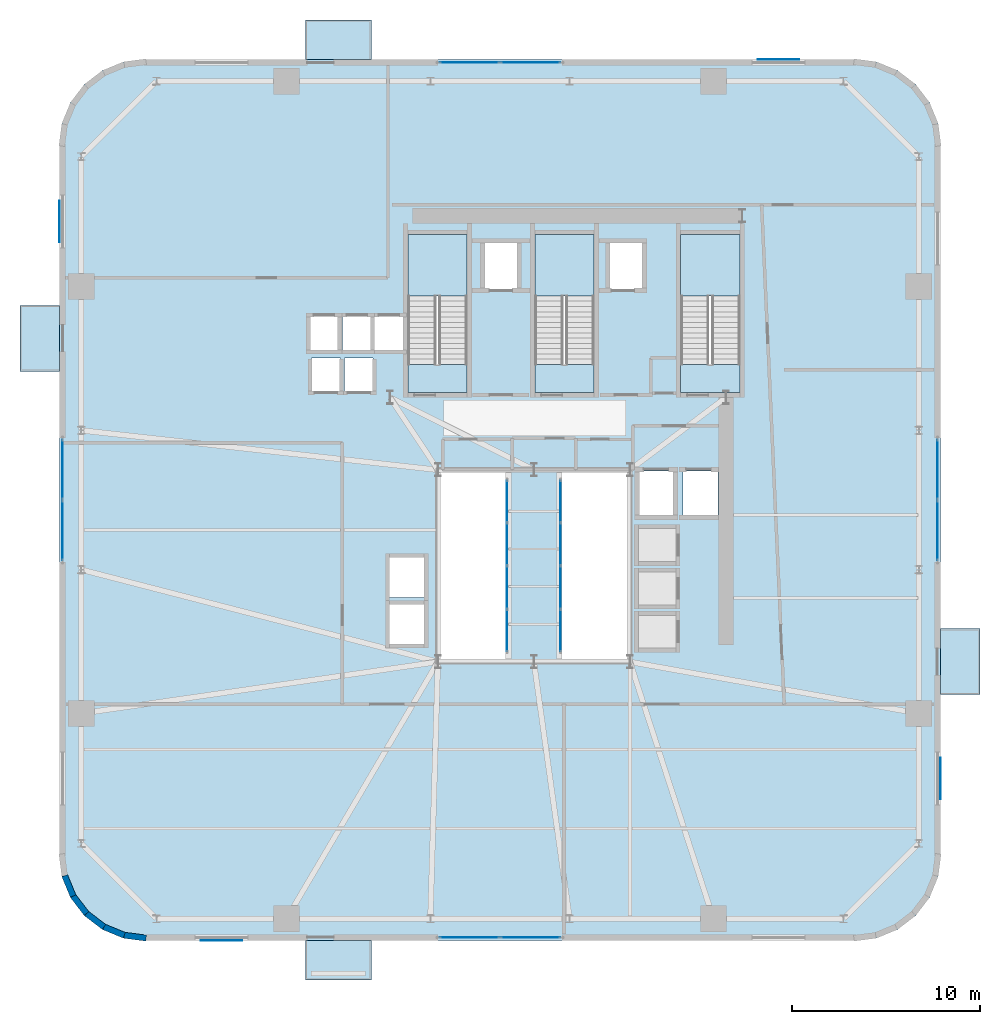
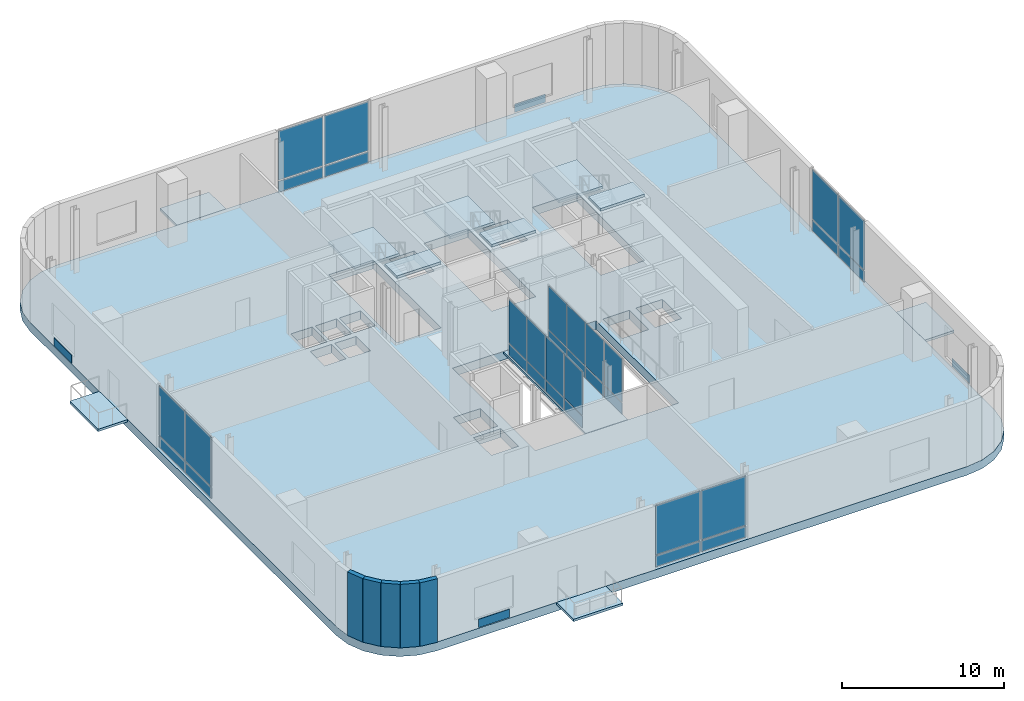
# One storey, part 7 of 14: 36 plates, 12 slabs, 5 walls, 9 elements without a shape of their own.
"""IFC4 building model written with IfcOpenShell, lengths in metres."""

from ifc_helpers import new_model, si_unit, direction, frame, frame_2d, origin, origin_2d, place, context, subcontext, project, spatial, polyline, rectangle, outline, extrude, source, transform, mapped, material, layer, layer_set, type_object, element, aggregate, save


model = new_model("IFC4")

# Units and contexts
model_context = context("Model", 3, precision=1e-05, world=origin(), true_north=direction((0.0, 1.0)))
body_context = subcontext(model_context, "Body", "Model", "MODEL_VIEW")
ifc_project = project(units=[si_unit("LENGTHUNIT", "METRE"), si_unit("AREAUNIT", "SQUARE_METRE"), si_unit("VOLUMEUNIT", "CUBIC_METRE"), si_unit("PLANEANGLEUNIT", "RADIAN"), si_unit("MASSUNIT", "GRAM", prefix="KILO")], contexts=[model_context])

# Site, building, storey
site_placement = place(None, origin())
site = spatial("IfcSite", under=ifc_project, at=site_placement, CompositionType="ELEMENT")
building_placement = place(site_placement, origin())
building = spatial("IfcBuilding", under=site, at=building_placement, Name="Vardaveli Station Tower", CompositionType="ELEMENT")
storey_placement = place(building_placement, frame((0.0, 0.0, 172.199951171875)))
storey = spatial("IfcBuildingStorey", under=building, at=storey_placement, Name="L44", CompositionType="ELEMENT", Elevation=172.199951171875)

# Stair, slabs
ifc_material_1 = material(Name="Concrete C40/50", Category="concrete")
stair_type = type_object("IfcStairType", Name="STR-CORE-1500", PredefinedType="HALF_TURN_STAIR", material=ifc_material_1)
stair_1_placement = place(storey_placement, origin())
stair_1 = element("IfcStair", 1, at=stair_1_placement, inside=storey, type_object=stair_type, Name="L44 ST-1", PredefinedType="HALF_TURN_STAIR")
ifc_layer_1 = layer(ifc_material_1, 0.199951171875, Name="Concrete C40/50")
ifc_layer_set_1 = layer_set([ifc_layer_1], Name="Concrete C40/50")
slab_type_1 = type_object("IfcSlabType", Name="SLB-LAND-200", PredefinedType="LANDING", material=ifc_layer_set_1)
slab_1_placement = place(storey_placement, frame((0.0, 0.0, 2.300048828125)))
slab_1 = element("IfcSlab", 2, at=slab_1_placement, type_object=slab_type_1, Name="ST-1 landing 1", PredefinedType="LANDING", context=body_context, shape_type="SweptSolid", body=[
    extrude(outline(polyline([(32.75, 36.0400390625), (32.75, 39.300048828125), (29.60009765625, 39.300048828125), (29.60009765625, 36.0400390625), (32.75, 36.0400390625)])), origin(), (0.0, 0.0, 1.0), 0.199951171875),
])
slab_2_placement = place(storey_placement, frame((0.0, 0.0, 4.800048828125)))
slab_2 = element("IfcSlab", 3, at=slab_2_placement, type_object=slab_type_1, Name="ST-1 landing 2", PredefinedType="LANDING", context=body_context, shape_type="SweptSolid", body=[
    extrude(outline(polyline([(32.75, 30.89990234375), (32.75, 32.39990234375), (29.60009765625, 32.39990234375), (29.60009765625, 30.89990234375), (32.75, 30.89990234375)])), origin(), (0.0, 0.0, 1.0), 0.199951171875),
])
aggregate(stair_1, [slab_1, slab_2])

stair_2_placement = place(storey_placement, origin())
stair_2 = element("IfcStair", 4, at=stair_2_placement, inside=storey, type_object=stair_type, Name="L44 ST-2", PredefinedType="HALF_TURN_STAIR")
slab_3_placement = place(storey_placement, frame((0.0, 0.0, 2.300048828125)))
slab_3 = element("IfcSlab", 5, at=slab_3_placement, type_object=slab_type_1, Name="ST-2 landing 1", PredefinedType="LANDING", context=body_context, shape_type="SweptSolid", body=[
    extrude(outline(polyline([(39.5, 36.0400390625), (39.5, 39.300048828125), (36.35009765625, 39.300048828125), (36.35009765625, 36.0400390625), (39.5, 36.0400390625)])), origin(), (0.0, 0.0, 1.0), 0.199951171875),
])
slab_4_placement = place(storey_placement, frame((0.0, 0.0, 4.800048828125)))
slab_4 = element("IfcSlab", 6, at=slab_4_placement, type_object=slab_type_1, Name="ST-2 landing 2", PredefinedType="LANDING", context=body_context, shape_type="SweptSolid", body=[
    extrude(outline(polyline([(39.5, 30.89990234375), (39.5, 32.39990234375), (36.35009765625, 32.39990234375), (36.35009765625, 30.89990234375), (39.5, 30.89990234375)])), origin(), (0.0, 0.0, 1.0), 0.199951171875),
])
aggregate(stair_2, [slab_3, slab_4])

stair_3_placement = place(storey_placement, origin())
stair_3 = element("IfcStair", 7, at=stair_3_placement, inside=storey, type_object=stair_type, Name="L44 ST-3", PredefinedType="HALF_TURN_STAIR")
slab_5_placement = place(storey_placement, frame((0.0, 0.0, 2.300048828125)))
slab_5 = element("IfcSlab", 8, at=slab_5_placement, type_object=slab_type_1, Name="ST-3 landing 1", PredefinedType="LANDING", context=body_context, shape_type="SweptSolid", body=[
    extrude(outline(polyline([(47.25, 36.0400390625), (47.25, 39.300048828125), (44.10009765625, 39.300048828125), (44.10009765625, 36.0400390625), (47.25, 36.0400390625)])), origin(), (0.0, 0.0, 1.0), 0.199951171875),
])
slab_6_placement = place(storey_placement, frame((0.0, 0.0, 4.800048828125)))
slab_6 = element("IfcSlab", 9, at=slab_6_placement, type_object=slab_type_1, Name="ST-3 landing 2", PredefinedType="LANDING", context=body_context, shape_type="SweptSolid", body=[
    extrude(outline(polyline([(47.25, 30.89990234375), (47.25, 32.39990234375), (44.10009765625, 32.39990234375), (44.10009765625, 30.89990234375), (47.25, 30.89990234375)])), origin(), (0.0, 0.0, 1.0), 0.199951171875),
])
aggregate(stair_3, [slab_5, slab_6])

# Slabs
ifc_material_2 = material(Name="Precast concrete C45/55", Category="concrete")
ifc_layer_2 = layer(ifc_material_2, 0.179931640625, Name="Precast concrete C45/55")
ifc_layer_set_2 = layer_set([ifc_layer_2], Name="Precast concrete C45/55")
slab_type_2 = type_object("IfcSlabType", Name="SLB-LOGGIA-180", PredefinedType="FLOOR", material=ifc_layer_set_2)
slab_7_placement = place(storey_placement, frame((0.0, 0.0, -0.179931640625)))
element("IfcSlab", 10, at=slab_7_placement, inside=storey, type_object=slab_type_2, Name="LOG-L44-S", PredefinedType="FLOOR", context=body_context, shape_type="SweptSolid", body=[
    extrude(outline(polyline([(24.160400390625, -0.300048828125), (27.660400390625, -0.300048828125), (27.660400390625, 1.800048828125), (24.160400390625, 1.800048828125), (24.160400390625, -0.300048828125)])), origin(), (0.0, 0.0, 1.0), 0.179931640625),
])
slab_8_placement = place(storey_placement, frame((0.0, 0.0, -0.179931640625)))
element("IfcSlab", 11, at=slab_8_placement, inside=storey, type_object=slab_type_2, Name="LOG-L44-N", PredefinedType="FLOOR", context=body_context, shape_type="SweptSolid", body=[
    extrude(outline(polyline([(24.160400390625, 48.60009765625), (27.660400390625, 48.60009765625), (27.660400390625, 50.699951171875), (24.160400390625, 50.699951171875), (24.160400390625, 48.60009765625)])), origin(), (0.0, 0.0, 1.0), 0.179931640625),
])
slab_9_placement = place(storey_placement, frame((0.0, 0.0, -0.179931640625)))
element("IfcSlab", 12, at=slab_9_placement, inside=storey, type_object=slab_type_2, Name="LOG-L44-W", PredefinedType="FLOOR", context=body_context, shape_type="SweptSolid", body=[
    extrude(outline(polyline([(9.0, 32.03955078125), (11.10009765625, 32.03955078125), (11.10009765625, 35.53955078125), (9.0, 35.53955078125), (9.0, 32.03955078125)])), origin(), (0.0, 0.0, 1.0), 0.179931640625),
])
slab_10_placement = place(storey_placement, frame((0.0, 0.0, -0.179931640625)))
element("IfcSlab", 13, at=slab_10_placement, inside=storey, type_object=slab_type_2, Name="LOG-L44-E", PredefinedType="FLOOR", context=body_context, shape_type="SweptSolid", body=[
    extrude(outline(polyline([(57.89990234375, 14.8603515625), (60.0, 14.8603515625), (60.0, 18.3603515625), (57.89990234375, 18.3603515625), (57.89990234375, 14.8603515625)])), origin(), (0.0, 0.0, 1.0), 0.179931640625),
])
ifc_material_3 = material(Name="Concrete C50/60", Category="concrete")
ifc_layer_3 = layer(ifc_material_3, 0.64990234375, Name="Concrete C50/60")
ifc_layer_set_3 = layer_set([ifc_layer_3], Name="Concrete C50/60")
slab_type_3 = type_object("IfcSlabType", Name="SLB-TRANS-600", PredefinedType="FLOOR", material=ifc_layer_set_3)
slab_11_placement = place(storey_placement, frame((0.0, 0.0, -0.64990234375)))
element("IfcSlab", 14, at=slab_11_placement, inside=storey, type_object=slab_type_3, Name="SLB-L44-MAIN", PredefinedType="FLOOR", context=body_context, shape_type="SweptSolid", body=[
    extrude(outline(polyline([(11.10009765625, 6.300048828125), (11.25341796875, 5.13525390625), (11.702880859375, 4.050048828125), (12.41796875, 3.117919921875), (13.35009765625, 2.40283203125), (14.435302734375, 1.953369140625), (15.60009765625, 1.800048828125), (53.39990234375, 1.800048828125), (54.564697265625, 1.953369140625), (55.64990234375, 2.40283203125), (56.58203125, 3.117919921875), (57.297119140625, 4.050048828125), (57.74658203125, 5.13525390625), (57.89990234375, 6.300048828125), (57.89990234375, 44.10009765625), (57.74658203125, 45.2646484375), (57.297119140625, 46.35009765625), (56.58203125, 47.281982421875), (55.64990234375, 47.9970703125), (54.564697265625, 48.44677734375), (53.39990234375, 48.60009765625), (15.60009765625, 48.60009765625), (14.435302734375, 48.44677734375), (13.35009765625, 47.9970703125), (12.41796875, 47.281982421875), (11.702880859375, 46.35009765625), (11.25341796875, 45.2646484375), (11.10009765625, 44.10009765625), (11.10009765625, 6.300048828125)]), holes=[polyline([(31.199951171875, 16.60009765625), (41.39990234375, 16.60009765625), (41.39990234375, 26.800048828125), (31.199951171875, 26.800048828125), (31.199951171875, 16.60009765625)]), polyline([(32.75, 30.89990234375), (32.75, 39.300048828125), (29.60009765625, 39.300048828125), (29.60009765625, 30.89990234375), (32.75, 30.89990234375)]), polyline([(39.5, 30.89990234375), (39.5, 39.300048828125), (36.35009765625, 39.300048828125), (36.35009765625, 30.89990234375), (39.5, 30.89990234375)]), polyline([(47.25, 30.89990234375), (47.25, 39.300048828125), (44.10009765625, 39.300048828125), (44.10009765625, 30.89990234375), (47.25, 30.89990234375)]), polyline([(24.385009765625, 33.135009765625), (25.9150390625, 33.135009765625), (25.9150390625, 34.965087890625), (24.385009765625, 34.965087890625), (24.385009765625, 33.135009765625)]), polyline([(26.135009765625, 33.135009765625), (27.6650390625, 33.135009765625), (27.6650390625, 34.965087890625), (26.135009765625, 34.965087890625), (26.135009765625, 33.135009765625)]), polyline([(27.8349609375, 33.135009765625), (29.364990234375, 33.135009765625), (29.364990234375, 34.965087890625), (27.8349609375, 34.965087890625), (27.8349609375, 33.135009765625)]), polyline([(33.659912109375, 36.409912109375), (35.43994140625, 36.409912109375), (35.43994140625, 38.889892578125), (33.659912109375, 38.889892578125), (33.659912109375, 36.409912109375)]), polyline([(40.31005859375, 36.409912109375), (42.090087890625, 36.409912109375), (42.090087890625, 38.889892578125), (40.31005859375, 38.889892578125), (40.31005859375, 36.409912109375)]), polyline([(24.485107421875, 30.9599609375), (26.014892578125, 30.9599609375), (26.014892578125, 32.739990234375), (24.485107421875, 32.739990234375), (24.485107421875, 30.9599609375)]), polyline([(26.235107421875, 30.9599609375), (27.764892578125, 30.9599609375), (27.764892578125, 32.739990234375), (26.235107421875, 32.739990234375), (26.235107421875, 30.9599609375)]), polyline([(28.5849609375, 17.510009765625), (30.514892578125, 17.510009765625), (30.514892578125, 19.68994140625), (28.5849609375, 19.68994140625), (28.5849609375, 17.510009765625)]), polyline([(28.5849609375, 20.010009765625), (30.514892578125, 20.010009765625), (30.514892578125, 22.18994140625), (28.5849609375, 22.18994140625), (28.5849609375, 20.010009765625)]), polyline([(41.860107421875, 24.360107421875), (43.739990234375, 24.360107421875), (43.739990234375, 26.739990234375), (41.860107421875, 26.739990234375), (41.860107421875, 24.360107421875)]), polyline([(44.2099609375, 24.360107421875), (46.090087890625, 24.360107421875), (46.090087890625, 26.739990234375), (44.2099609375, 26.739990234375), (44.2099609375, 24.360107421875)])]), origin(), (0.0, 0.0, 1.0), 0.64990234375),
])
ifc_layer_4 = layer(ifc_material_1, 0.159912109375, Name="Concrete C40/50")
ifc_layer_set_4 = layer_set([ifc_layer_4], Name="Concrete C40/50")
slab_type_4 = type_object("IfcSlabType", Name="SLB-WALKWAY-160", PredefinedType="FLOOR", material=ifc_layer_set_4)
slab_12_placement = place(storey_placement, frame((0.0, 0.0, -0.159912109375)))
element("IfcSlab", 15, at=slab_12_placement, inside=storey, type_object=slab_type_4, Name="SLB-L44-WALKWAY", PredefinedType="FLOOR", context=body_context, shape_type="SweptSolid", body=[
    extrude(outline(polyline([(34.800048828125, 16.6201171875), (37.800048828125, 16.6201171875), (37.800048828125, 26.780029296875), (34.800048828125, 26.780029296875), (34.800048828125, 16.6201171875)])), origin(), (0.0, 0.0, 1.0), 0.159912109375),
])

# Plates
ifc_material_4 = material(Name="Honed Caucasian travertine stone", Category="masonry")
ifc_layer_5 = layer(ifc_material_4, 0.034912109375, Name="Honed Caucasian travertine stone")
ifc_layer_set_5 = layer_set([ifc_layer_5], Name="Honed Caucasian travertine stone")
plate_type_1 = type_object("IfcPlateType", Name="PLT-TRAV-35", PredefinedType="SHEET", material=ifc_layer_set_5)
shared_shape_1 = source(origin(), body_context, "Body", "SweptSolid", [
    extrude(rectangle(XDim=2.199951171875, YDim=0.034912109375, at=origin_2d()), origin(), (0.0, 0.0, 1.0), 0.6201171875),
])
for number, where, z_axis, x_axis, name in (
    (16, (19.705078125, 1.79052734375, 0.070068359375), (0.0, 0.0, 1.0), (1.0, 0.0, 0.0), "PLT-TR-L44-S"),
    (17, (49.294921875, 48.609619140625, 0.070068359375), (0.0, 0.0, 1.0), (1.0, 0.0, 0.0), "PLT-TR-L44-N"),
    (18, (11.090576171875, 39.9951171875, 0.070068359375), (0.0, 0.0, 1.0), (0.0, 1.0, 0.0), "PLT-TR-L44-W"),
    (19, (57.909423828125, 10.405029296875, 0.070068359375), (0.0, 0.0, 1.0), (0.0, 1.0, 0.0), "PLT-TR-L44-E"),
):
    element("IfcPlate", number, at=place(storey_placement, frame(where, z_axis=z_axis, x_axis=x_axis)), inside=storey, type_object=plate_type_1, Name=name, PredefinedType="SHEET", context=body_context, shape_type="MappedRepresentation", body=[
        mapped(shared_shape_1, transform((0.0, 0.0, 0.0), scale=1.0)),
    ])

# Curtain wall, plates
ifc_material_5 = material(Name="Travertine stone and solar-control glass", Category="masonry")
curtain_wall_type_1 = type_object("IfcCurtainWallType", Name="CW-SYS-3", PredefinedType="NOTDEFINED", material=ifc_material_5)
curtain_wall_1_placement = place(storey_placement, origin())
curtain_wall_1 = element("IfcCurtainWall", 20, at=curtain_wall_1_placement, inside=storey, type_object=curtain_wall_type_1, Name="CW-L44-S", PredefinedType="NOTDEFINED")
ifc_material_6 = material(Name="Double-glazed low-E solar-control glass", Category="glass")
ifc_layer_6 = layer(ifc_material_6, 0.0419921875, Name="Double-glazed low-E solar-control glass")
ifc_layer_set_6 = layer_set([ifc_layer_6], Name="Double-glazed low-E solar-control glass")
plate_type_2 = type_object("IfcPlateType", Name="CW-SYS-3-PAN", PredefinedType="CURTAIN_PANEL", material=ifc_layer_set_6)
shared_shape_2 = source(origin(), body_context, "Body", "SweptSolid", [
    extrude(rectangle(XDim=3.1650390625, YDim=0.0419921875, at=origin_2d()), origin(), (0.0, 0.0, 1.0), 0.81494140625),
])
plate_1_placement = place(storey_placement, frame((32.87255859375, 1.9599609375, 0.090087890625), z_axis=(0.0, 0.0, 1.0), x_axis=(1.0, 0.0, 0.0)))
plate_1 = element("IfcPlate", 21, at=plate_1_placement, type_object=plate_type_2, Name="CW-3 panel 1.1", PredefinedType="CURTAIN_PANEL", context=body_context, shape_type="MappedRepresentation", body=[
    mapped(shared_shape_2, transform((0.0, 0.0, 0.0), scale=1.0)),
])
plate_2_placement = place(storey_placement, frame((36.12744140625, 1.9599609375, 0.090087890625), z_axis=(0.0, 0.0, 1.0), x_axis=(1.0, 0.0, 0.0)))
plate_2 = element("IfcPlate", 22, at=plate_2_placement, type_object=plate_type_2, Name="CW-3 panel 2.1", PredefinedType="CURTAIN_PANEL", context=body_context, shape_type="MappedRepresentation", body=[
    mapped(shared_shape_2, transform((0.0, 0.0, 0.0), scale=1.0)),
])

curtain_wall_2_placement = place(storey_placement, origin())
curtain_wall_2 = element("IfcCurtainWall", 23, at=curtain_wall_2_placement, inside=storey, type_object=curtain_wall_type_1, Name="CW-L44-N", PredefinedType="NOTDEFINED")
plate_3_placement = place(storey_placement, frame((36.12744140625, 48.43994140625, 0.090087890625), z_axis=(0.0, 0.0, 1.0), x_axis=(-1.0, 0.0, 0.0)))
plate_3 = element("IfcPlate", 24, at=plate_3_placement, type_object=plate_type_2, Name="CW-3 panel 1.1", PredefinedType="CURTAIN_PANEL", context=body_context, shape_type="MappedRepresentation", body=[
    mapped(shared_shape_2, transform((0.0, 0.0, 0.0), scale=1.0)),
])
plate_4_placement = place(storey_placement, frame((32.87255859375, 48.43994140625, 0.090087890625), z_axis=(0.0, 0.0, 1.0), x_axis=(-1.0, 0.0, 0.0)))
plate_4 = element("IfcPlate", 25, at=plate_4_placement, type_object=plate_type_2, Name="CW-3 panel 2.1", PredefinedType="CURTAIN_PANEL", context=body_context, shape_type="MappedRepresentation", body=[
    mapped(shared_shape_2, transform((0.0, 0.0, 0.0), scale=1.0)),
])

curtain_wall_3_placement = place(storey_placement, origin())
curtain_wall_3 = element("IfcCurtainWall", 26, at=curtain_wall_3_placement, inside=storey, type_object=curtain_wall_type_1, Name="CW-L44-W", PredefinedType="NOTDEFINED")
plate_5_placement = place(storey_placement, frame((11.260009765625, 26.827392578125, 0.090087890625), z_axis=(0.0, 0.0, 1.0), x_axis=(0.0, -1.0, 0.0)))
plate_5 = element("IfcPlate", 27, at=plate_5_placement, type_object=plate_type_2, Name="CW-3 panel 1.1", PredefinedType="CURTAIN_PANEL", context=body_context, shape_type="MappedRepresentation", body=[
    mapped(shared_shape_2, transform((0.0, 0.0, 0.0), scale=1.0)),
])
plate_6_placement = place(storey_placement, frame((11.260009765625, 23.572509765625, 0.090087890625), z_axis=(0.0, 0.0, 1.0), x_axis=(0.0, -1.0, 0.0)))
plate_6 = element("IfcPlate", 28, at=plate_6_placement, type_object=plate_type_2, Name="CW-3 panel 2.1", PredefinedType="CURTAIN_PANEL", context=body_context, shape_type="MappedRepresentation", body=[
    mapped(shared_shape_2, transform((0.0, 0.0, 0.0), scale=1.0)),
])

curtain_wall_4_placement = place(storey_placement, origin())
curtain_wall_4 = element("IfcCurtainWall", 29, at=curtain_wall_4_placement, inside=storey, type_object=curtain_wall_type_1, Name="CW-L44-E", PredefinedType="NOTDEFINED")
plate_7_placement = place(storey_placement, frame((57.739990234375, 23.572509765625, 0.090087890625), z_axis=(0.0, 0.0, 1.0), x_axis=(0.0, 1.0, 0.0)))
plate_7 = element("IfcPlate", 30, at=plate_7_placement, type_object=plate_type_2, Name="CW-3 panel 1.1", PredefinedType="CURTAIN_PANEL", context=body_context, shape_type="MappedRepresentation", body=[
    mapped(shared_shape_2, transform((0.0, 0.0, 0.0), scale=1.0)),
])
plate_8_placement = place(storey_placement, frame((57.739990234375, 26.827392578125, 0.090087890625), z_axis=(0.0, 0.0, 1.0), x_axis=(0.0, 1.0, 0.0)))
plate_8 = element("IfcPlate", 31, at=plate_8_placement, type_object=plate_type_2, Name="CW-3 panel 2.1", PredefinedType="CURTAIN_PANEL", context=body_context, shape_type="MappedRepresentation", body=[
    mapped(shared_shape_2, transform((0.0, 0.0, 0.0), scale=1.0)),
])

# Plate
shared_shape_3 = source(origin(), body_context, "Body", "SweptSolid", [
    extrude(rectangle(XDim=3.1650390625, YDim=0.0419921875, at=origin_2d()), origin(), (0.0, 0.0, 1.0), 3.695068359375),
])
plate_9_placement = place(storey_placement, frame((32.87255859375, 1.9599609375, 0.9951171875), z_axis=(0.0, 0.0, 1.0), x_axis=(1.0, 0.0, 0.0)))
plate_9 = element("IfcPlate", 32, at=plate_9_placement, type_object=plate_type_2, Name="CW-3 panel 1.2", PredefinedType="CURTAIN_PANEL", context=body_context, shape_type="MappedRepresentation", body=[
    mapped(shared_shape_3, transform((0.0, 0.0, 0.0), scale=1.0)),
])

plate_10_placement = place(storey_placement, frame((36.12744140625, 1.9599609375, 0.9951171875), z_axis=(0.0, 0.0, 1.0), x_axis=(1.0, 0.0, 0.0)))
plate_10 = element("IfcPlate", 33, at=plate_10_placement, type_object=plate_type_2, Name="CW-3 panel 2.2", PredefinedType="CURTAIN_PANEL", context=body_context, shape_type="MappedRepresentation", body=[
    mapped(shared_shape_3, transform((0.0, 0.0, 0.0), scale=1.0)),
])

aggregate(curtain_wall_1, [plate_1, plate_9, plate_2, plate_10])

plate_11_placement = place(storey_placement, frame((36.12744140625, 48.43994140625, 0.9951171875), z_axis=(0.0, 0.0, 1.0), x_axis=(-1.0, 0.0, 0.0)))
plate_11 = element("IfcPlate", 34, at=plate_11_placement, type_object=plate_type_2, Name="CW-3 panel 1.2", PredefinedType="CURTAIN_PANEL", context=body_context, shape_type="MappedRepresentation", body=[
    mapped(shared_shape_3, transform((0.0, 0.0, 0.0), scale=1.0)),
])

plate_12_placement = place(storey_placement, frame((32.87255859375, 48.43994140625, 0.9951171875), z_axis=(0.0, 0.0, 1.0), x_axis=(-1.0, 0.0, 0.0)))
plate_12 = element("IfcPlate", 35, at=plate_12_placement, type_object=plate_type_2, Name="CW-3 panel 2.2", PredefinedType="CURTAIN_PANEL", context=body_context, shape_type="MappedRepresentation", body=[
    mapped(shared_shape_3, transform((0.0, 0.0, 0.0), scale=1.0)),
])

aggregate(curtain_wall_2, [plate_3, plate_11, plate_4, plate_12])

plate_13_placement = place(storey_placement, frame((11.260009765625, 26.827392578125, 0.9951171875), z_axis=(0.0, 0.0, 1.0), x_axis=(0.0, -1.0, 0.0)))
plate_13 = element("IfcPlate", 36, at=plate_13_placement, type_object=plate_type_2, Name="CW-3 panel 1.2", PredefinedType="CURTAIN_PANEL", context=body_context, shape_type="MappedRepresentation", body=[
    mapped(shared_shape_3, transform((0.0, 0.0, 0.0), scale=1.0)),
])

plate_14_placement = place(storey_placement, frame((11.260009765625, 23.572509765625, 0.9951171875), z_axis=(0.0, 0.0, 1.0), x_axis=(0.0, -1.0, 0.0)))
plate_14 = element("IfcPlate", 37, at=plate_14_placement, type_object=plate_type_2, Name="CW-3 panel 2.2", PredefinedType="CURTAIN_PANEL", context=body_context, shape_type="MappedRepresentation", body=[
    mapped(shared_shape_3, transform((0.0, 0.0, 0.0), scale=1.0)),
])

aggregate(curtain_wall_3, [plate_5, plate_13, plate_6, plate_14])

plate_15_placement = place(storey_placement, frame((57.739990234375, 23.572509765625, 0.9951171875), z_axis=(0.0, 0.0, 1.0), x_axis=(0.0, 1.0, 0.0)))
plate_15 = element("IfcPlate", 38, at=plate_15_placement, type_object=plate_type_2, Name="CW-3 panel 1.2", PredefinedType="CURTAIN_PANEL", context=body_context, shape_type="MappedRepresentation", body=[
    mapped(shared_shape_3, transform((0.0, 0.0, 0.0), scale=1.0)),
])

plate_16_placement = place(storey_placement, frame((57.739990234375, 26.827392578125, 0.9951171875), z_axis=(0.0, 0.0, 1.0), x_axis=(0.0, 1.0, 0.0)))
plate_16 = element("IfcPlate", 39, at=plate_16_placement, type_object=plate_type_2, Name="CW-3 panel 2.2", PredefinedType="CURTAIN_PANEL", context=body_context, shape_type="MappedRepresentation", body=[
    mapped(shared_shape_3, transform((0.0, 0.0, 0.0), scale=1.0)),
])

aggregate(curtain_wall_4, [plate_7, plate_15, plate_8, plate_16])

# Curtain wall, plates
curtain_wall_type_2 = type_object("IfcCurtainWallType", Name="CW-SYS-4", PredefinedType="NOTDEFINED", material=ifc_material_5)
curtain_wall_5_placement = place(storey_placement, origin())
curtain_wall_5 = element("IfcCurtainWall", 40, at=curtain_wall_5_placement, inside=storey, type_object=curtain_wall_type_2, Name="CW-L44-BRW", PredefinedType="NOTDEFINED")
ifc_layer_7 = layer(ifc_material_6, 0.028076171875, Name="Double-glazed low-E solar-control glass")
ifc_layer_set_7 = layer_set([ifc_layer_7], Name="Double-glazed low-E solar-control glass")
plate_type_3 = type_object("IfcPlateType", Name="CW-SYS-4-PAN", PredefinedType="CURTAIN_PANEL", material=ifc_layer_set_7)
shared_shape_4 = source(origin(), body_context, "Body", "SweptSolid", [
    extrude(rectangle(XDim=2.195068359375, YDim=0.028076171875, at=origin_2d()), origin(), (0.0, 0.0, 1.0), 0.844970703125),
])
plate_17_placement = place(storey_placement, frame((34.8798828125, 18.267578125, 0.06982421875), z_axis=(0.0, 0.0, 1.0), x_axis=(0.0, 1.0, 0.0)))
plate_17 = element("IfcPlate", 41, at=plate_17_placement, type_object=plate_type_3, Name="CW-4 panel 1.1", PredefinedType="CURTAIN_PANEL", context=body_context, shape_type="MappedRepresentation", body=[
    mapped(shared_shape_4, transform((0.0, 0.0, 0.0), scale=1.0)),
])
plate_18_placement = place(storey_placement, frame((34.8798828125, 25.132568359375, 0.06982421875), z_axis=(0.0, 0.0, 1.0), x_axis=(0.0, 1.0, 0.0)))
plate_18 = element("IfcPlate", 42, at=plate_18_placement, type_object=plate_type_3, Name="CW-4 panel 4.1", PredefinedType="CURTAIN_PANEL", context=body_context, shape_type="MappedRepresentation", body=[
    mapped(shared_shape_4, transform((0.0, 0.0, 0.0), scale=1.0)),
])

curtain_wall_6_placement = place(storey_placement, origin())
curtain_wall_6 = element("IfcCurtainWall", 43, at=curtain_wall_6_placement, inside=storey, type_object=curtain_wall_type_2, Name="CW-L44-BRE", PredefinedType="NOTDEFINED")
plate_19_placement = place(storey_placement, frame((37.719970703125, 18.267578125, 0.06982421875), z_axis=(0.0, 0.0, 1.0), x_axis=(0.0, 1.0, 0.0)))
plate_19 = element("IfcPlate", 44, at=plate_19_placement, type_object=plate_type_3, Name="CW-4 panel 1.1", PredefinedType="CURTAIN_PANEL", context=body_context, shape_type="MappedRepresentation", body=[
    mapped(shared_shape_4, transform((0.0, 0.0, 0.0), scale=1.0)),
])
plate_20_placement = place(storey_placement, frame((37.719970703125, 25.132568359375, 0.06982421875), z_axis=(0.0, 0.0, 1.0), x_axis=(0.0, 1.0, 0.0)))
plate_20 = element("IfcPlate", 45, at=plate_20_placement, type_object=plate_type_3, Name="CW-4 panel 4.1", PredefinedType="CURTAIN_PANEL", context=body_context, shape_type="MappedRepresentation", body=[
    mapped(shared_shape_4, transform((0.0, 0.0, 0.0), scale=1.0)),
])

# Plate
shared_shape_5 = source(origin(), body_context, "Body", "SweptSolid", [
    extrude(rectangle(XDim=2.22998046875, YDim=0.028076171875, at=origin_2d()), origin(), (0.0, 0.0, 1.0), 0.844970703125),
])
plate_21_placement = place(storey_placement, frame((34.8798828125, 20.550048828125, 0.06982421875), z_axis=(0.0, 0.0, 1.0), x_axis=(0.0, 1.0, 0.0)))
plate_21 = element("IfcPlate", 46, at=plate_21_placement, type_object=plate_type_3, Name="CW-4 panel 2.1", PredefinedType="CURTAIN_PANEL", context=body_context, shape_type="MappedRepresentation", body=[
    mapped(shared_shape_5, transform((0.0, 0.0, 0.0), scale=1.0)),
])

plate_22_placement = place(storey_placement, frame((34.8798828125, 22.85009765625, 0.06982421875), z_axis=(0.0, 0.0, 1.0), x_axis=(0.0, 1.0, 0.0)))
plate_22 = element("IfcPlate", 47, at=plate_22_placement, type_object=plate_type_3, Name="CW-4 panel 3.1", PredefinedType="CURTAIN_PANEL", context=body_context, shape_type="MappedRepresentation", body=[
    mapped(shared_shape_5, transform((0.0, 0.0, 0.0), scale=1.0)),
])

plate_23_placement = place(storey_placement, frame((37.719970703125, 20.550048828125, 0.06982421875), z_axis=(0.0, 0.0, 1.0), x_axis=(0.0, 1.0, 0.0)))
plate_23 = element("IfcPlate", 48, at=plate_23_placement, type_object=plate_type_3, Name="CW-4 panel 2.1", PredefinedType="CURTAIN_PANEL", context=body_context, shape_type="MappedRepresentation", body=[
    mapped(shared_shape_5, transform((0.0, 0.0, 0.0), scale=1.0)),
])

plate_24_placement = place(storey_placement, frame((37.719970703125, 22.85009765625, 0.06982421875), z_axis=(0.0, 0.0, 1.0), x_axis=(0.0, 1.0, 0.0)))
plate_24 = element("IfcPlate", 49, at=plate_24_placement, type_object=plate_type_3, Name="CW-4 panel 3.1", PredefinedType="CURTAIN_PANEL", context=body_context, shape_type="MappedRepresentation", body=[
    mapped(shared_shape_5, transform((0.0, 0.0, 0.0), scale=1.0)),
])

shared_shape_6 = source(origin(), body_context, "Body", "SweptSolid", [
    extrude(rectangle(XDim=2.195068359375, YDim=0.028076171875, at=origin_2d()), origin(), (0.0, 0.0, 1.0), 3.264892578125),
])
plate_25_placement = place(storey_placement, frame((34.8798828125, 18.267578125, 0.98486328125), z_axis=(0.0, 0.0, 1.0), x_axis=(0.0, 1.0, 0.0)))
plate_25 = element("IfcPlate", 50, at=plate_25_placement, type_object=plate_type_3, Name="CW-4 panel 1.2", PredefinedType="CURTAIN_PANEL", context=body_context, shape_type="MappedRepresentation", body=[
    mapped(shared_shape_6, transform((0.0, 0.0, 0.0), scale=1.0)),
])

plate_26_placement = place(storey_placement, frame((34.8798828125, 25.132568359375, 0.98486328125), z_axis=(0.0, 0.0, 1.0), x_axis=(0.0, 1.0, 0.0)))
plate_26 = element("IfcPlate", 51, at=plate_26_placement, type_object=plate_type_3, Name="CW-4 panel 4.2", PredefinedType="CURTAIN_PANEL", context=body_context, shape_type="MappedRepresentation", body=[
    mapped(shared_shape_6, transform((0.0, 0.0, 0.0), scale=1.0)),
])

plate_27_placement = place(storey_placement, frame((37.719970703125, 18.267578125, 0.98486328125), z_axis=(0.0, 0.0, 1.0), x_axis=(0.0, 1.0, 0.0)))
plate_27 = element("IfcPlate", 52, at=plate_27_placement, type_object=plate_type_3, Name="CW-4 panel 1.2", PredefinedType="CURTAIN_PANEL", context=body_context, shape_type="MappedRepresentation", body=[
    mapped(shared_shape_6, transform((0.0, 0.0, 0.0), scale=1.0)),
])

plate_28_placement = place(storey_placement, frame((37.719970703125, 25.132568359375, 0.98486328125), z_axis=(0.0, 0.0, 1.0), x_axis=(0.0, 1.0, 0.0)))
plate_28 = element("IfcPlate", 53, at=plate_28_placement, type_object=plate_type_3, Name="CW-4 panel 4.2", PredefinedType="CURTAIN_PANEL", context=body_context, shape_type="MappedRepresentation", body=[
    mapped(shared_shape_6, transform((0.0, 0.0, 0.0), scale=1.0)),
])

shared_shape_7 = source(origin(), body_context, "Body", "SweptSolid", [
    extrude(rectangle(XDim=2.22998046875, YDim=0.028076171875, at=origin_2d()), origin(), (0.0, 0.0, 1.0), 3.264892578125),
])
plate_29_placement = place(storey_placement, frame((34.8798828125, 20.550048828125, 0.98486328125), z_axis=(0.0, 0.0, 1.0), x_axis=(0.0, 1.0, 0.0)))
plate_29 = element("IfcPlate", 54, at=plate_29_placement, type_object=plate_type_3, Name="CW-4 panel 2.2", PredefinedType="CURTAIN_PANEL", context=body_context, shape_type="MappedRepresentation", body=[
    mapped(shared_shape_7, transform((0.0, 0.0, 0.0), scale=1.0)),
])

plate_30_placement = place(storey_placement, frame((34.8798828125, 22.85009765625, 0.98486328125), z_axis=(0.0, 0.0, 1.0), x_axis=(0.0, 1.0, 0.0)))
plate_30 = element("IfcPlate", 55, at=plate_30_placement, type_object=plate_type_3, Name="CW-4 panel 3.2", PredefinedType="CURTAIN_PANEL", context=body_context, shape_type="MappedRepresentation", body=[
    mapped(shared_shape_7, transform((0.0, 0.0, 0.0), scale=1.0)),
])

aggregate(curtain_wall_5, [plate_17, plate_25, plate_21, plate_29, plate_22, plate_30, plate_18, plate_26])

plate_31_placement = place(storey_placement, frame((37.719970703125, 20.550048828125, 0.98486328125), z_axis=(0.0, 0.0, 1.0), x_axis=(0.0, 1.0, 0.0)))
plate_31 = element("IfcPlate", 56, at=plate_31_placement, type_object=plate_type_3, Name="CW-4 panel 2.2", PredefinedType="CURTAIN_PANEL", context=body_context, shape_type="MappedRepresentation", body=[
    mapped(shared_shape_7, transform((0.0, 0.0, 0.0), scale=1.0)),
])

plate_32_placement = place(storey_placement, frame((37.719970703125, 22.85009765625, 0.98486328125), z_axis=(0.0, 0.0, 1.0), x_axis=(0.0, 1.0, 0.0)))
plate_32 = element("IfcPlate", 57, at=plate_32_placement, type_object=plate_type_3, Name="CW-4 panel 3.2", PredefinedType="CURTAIN_PANEL", context=body_context, shape_type="MappedRepresentation", body=[
    mapped(shared_shape_7, transform((0.0, 0.0, 0.0), scale=1.0)),
])

aggregate(curtain_wall_6, [plate_19, plate_27, plate_23, plate_31, plate_24, plate_32, plate_20, plate_28])

# Walls
ifc_layer_8 = layer(ifc_material_2, 0.320068359375, Name="Precast concrete C45/55")
ifc_layer_set_8 = layer_set([ifc_layer_8], Name="Precast concrete C45/55")
wall_type = type_object("IfcWallType", Name="WAL-EXT-STONE-320", PredefinedType="SOLIDWALL", material=ifc_layer_set_8)
shared_shape_8 = source(origin(), body_context, "Body", "SweptSolid", [
    extrude(rectangle(XDim=1.1689453125, YDim=0.320068359375, at=frame_2d((0.58447265625, 0.0))), origin(), (0.0, 0.0, 1.0), 4.780029296875),
])
for number, where, z_axis, x_axis, name in (
    (58, (11.37451171875, 5.23974609375, 0.0), (0.0, 0.0, 1.0), (0.381127904695, -0.924522320046, 0.0), "EW-L44-CR1-2"),
    (59, (11.820068359375, 4.158935546875, 0.0), (0.0, 0.0, 1.0), (0.608387696831, -0.793639975269, 0.0), "EW-L44-CR1-3"),
):
    element("IfcWall", number, at=place(storey_placement, frame(where, z_axis=z_axis, x_axis=x_axis)), inside=storey, type_object=wall_type, Name=name, PredefinedType="SOLIDWALL", context=body_context, shape_type="MappedRepresentation", body=[
        mapped(shared_shape_8, transform((0.0, 0.0, 0.0), scale=1.0)),
    ])
shared_shape_9 = source(origin(), body_context, "Body", "SweptSolid", [
    extrude(rectangle(XDim=1.168701171875, YDim=0.320068359375, at=frame_2d((0.58447265625, 0.0))), origin(), (0.0, 0.0, 1.0), 4.780029296875),
])
wall_1_placement = place(storey_placement, frame((12.53125, 3.231201171875, 0.0), z_axis=(0.0, 0.0, 1.0), x_axis=(0.793663520347, -0.608356981114, 0.0)))
element("IfcWall", 60, at=wall_1_placement, inside=storey, type_object=wall_type, Name="EW-L44-CR1-4", PredefinedType="SOLIDWALL", context=body_context, shape_type="MappedRepresentation", body=[
    mapped(shared_shape_9, transform((0.0, 0.0, 0.0), scale=1.0)),
])
shared_shape_10 = source(origin(), body_context, "Body", "SweptSolid", [
    extrude(rectangle(XDim=1.16943359375, YDim=0.320068359375, at=frame_2d((0.584716796875, 0.0))), origin(), (0.0, 0.0, 1.0), 4.780029296875),
])
wall_2_placement = place(storey_placement, frame((13.458740234375, 2.520263671875, 0.0), z_axis=(0.0, 0.0, 1.0), x_axis=(0.924479075121, -0.381232789334, 0.0)))
element("IfcWall", 61, at=wall_2_placement, inside=storey, type_object=wall_type, Name="EW-L44-CR1-5", PredefinedType="SOLIDWALL", context=body_context, shape_type="MappedRepresentation", body=[
    mapped(shared_shape_10, transform((0.0, 0.0, 0.0), scale=1.0)),
])
shared_shape_11 = source(origin(), body_context, "Body", "SweptSolid", [
    extrude(rectangle(XDim=1.170166015625, YDim=0.320068359375, at=frame_2d((0.5849609375, 0.0))), origin(), (0.0, 0.0, 1.0), 4.780029296875),
])
wall_3_placement = place(storey_placement, frame((14.539794921875, 2.074462890625, 0.0), z_axis=(0.0, 0.0, 1.0), x_axis=(0.991762485493, -0.128090485085, 0.0)))
element("IfcWall", 62, at=wall_3_placement, inside=storey, type_object=wall_type, Name="EW-L44-CR1-6", PredefinedType="SOLIDWALL", context=body_context, shape_type="MappedRepresentation", body=[
    mapped(shared_shape_11, transform((0.0, 0.0, 0.0), scale=1.0)),
])

save(model, "model.ifc")
